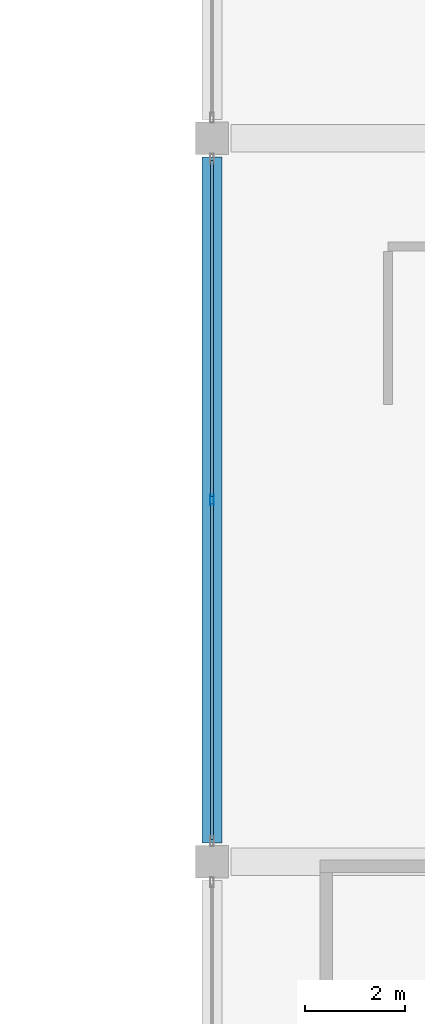
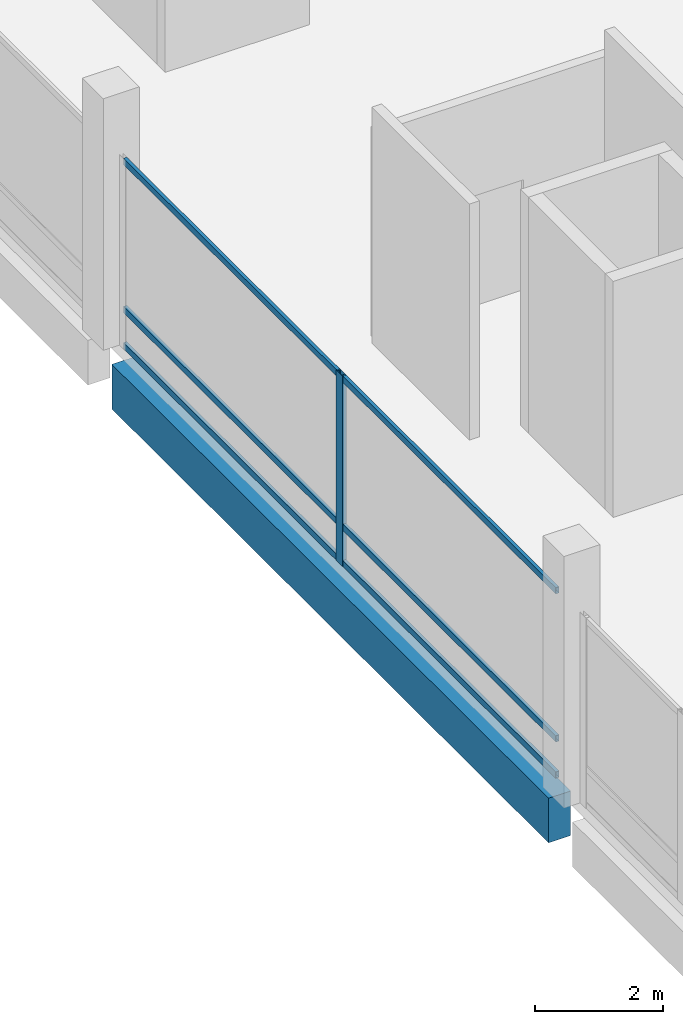
# One storey, part 92 of 220: 7 members, 1 beam, 1 element without a shape of its own.
"""IFC4 building model written with IfcOpenShell, lengths in metres."""

import ifcopenshell
import ifcopenshell.guid

model = None  # the IFC model being written
_history = None  # IfcOwnerHistory: only IFC2X3 demands one
_inside = {}  # id of a spatial element -> (the spatial element, [elements in it])
_under = {}  # id of a project, library or spatial element -> (it, [spatial elements below it])
_declared = {}  # id of a project -> (the project, [libraries it declares])
_typed = {}  # id of a type object -> (the type object, [elements of that type])
_made_of = {}  # id of a material, layer set ... -> (it, [elements and type objects made of it])


def new_model(schema):
    """Start an empty IFC model of exactly this schema.

    Asked for "IFC4X3", IfcOpenShell would pick the latest addendum, in which some entities
    have other attributes; the version numbers below select the first issue.
    IFC2X3 requires an IfcOwnerHistory on every rooted entity: one is made here for all.
    """
    global model, _history
    if schema == "IFC4X3":
        model = ifcopenshell.file(schema_version=(4, 3, 0, 0))
    else:
        model = ifcopenshell.file(schema=schema)
    _inside.clear()
    _under.clear()
    _declared.clear()
    _typed.clear()
    _made_of.clear()
    _history = None
    if model.schema == "IFC2X3":
        org = make("IfcOrganization", Name="unknown")
        user = make(
            "IfcPersonAndOrganization",
            ThePerson=make("IfcPerson", FamilyName="unknown"),
            TheOrganization=org,
        )
        app = make(
            "IfcApplication",
            ApplicationDeveloper=org,
            Version="unknown",
            ApplicationFullName="unknown",
            ApplicationIdentifier="unknown",
        )
        _history = make(
            "IfcOwnerHistory",
            OwningUser=user,
            OwningApplication=app,
            ChangeAction="ADDED",
            CreationDate=0,
        )
    return model


def make(cls, **values):
    """One entity of the class cls with the attributes given. An attribute that is None is left unset."""
    return model.create_entity(
        cls, **{name: value for name, value in values.items() if value is not None}
    )


def rooted(cls, **values):
    """An entity with a GlobalId (a new one), such as an element, a storey or a relation."""
    return make(cls, GlobalId=ifcopenshell.guid.new(), OwnerHistory=_history, **values)


def si_unit(unit_type, name, prefix=None):
    """IfcSIUnit, for example si_unit("LENGTHUNIT", "METRE", prefix="MILLI")."""
    return make("IfcSIUnit", UnitType=unit_type, Prefix=prefix, Name=name)


def assignment(units):
    """IfcUnitAssignment: the units of a project."""
    return None if units is None else make("IfcUnitAssignment", Units=units)


def point(xyz):
    """IfcCartesianPoint."""
    return None if xyz is None else make("IfcCartesianPoint", Coordinates=xyz)


def direction(xyz):
    """IfcDirection."""
    return None if xyz is None else make("IfcDirection", DirectionRatios=xyz)


def frame(location, z_axis=None, x_axis=None):
    """IfcAxis2Placement3D, a coordinate frame: its origin and axes. An axis left out is left unset."""
    return make(
        "IfcAxis2Placement3D",
        Location=point(location),
        Axis=direction(z_axis),
        RefDirection=direction(x_axis),
    )


def frame_2d(location, x_axis=None):
    """IfcAxis2Placement2D, a coordinate frame in the plane: its origin and x axis."""
    return make(
        "IfcAxis2Placement2D", Location=point(location), RefDirection=direction(x_axis)
    )


def origin():
    """The frame at (0, 0, 0) with its axes left unset."""
    return frame((0.0, 0.0, 0.0))


def origin_2d():
    """The frame at (0, 0) in the plane with its x axis left unset."""
    return frame_2d((0.0, 0.0))


def place(relative_to, where):
    """IfcLocalPlacement: puts the frame where relative to a parent placement (None: the world)."""
    return make(
        "IfcLocalPlacement", PlacementRelTo=relative_to, RelativePlacement=where
    )


def context(
    kind, dimensions, precision=None, world=None, true_north=None, identifier=None
):
    """IfcGeometricRepresentationContext, for example the 3D "Model" context."""
    return make(
        "IfcGeometricRepresentationContext",
        ContextIdentifier=identifier,
        ContextType=kind,
        CoordinateSpaceDimension=dimensions,
        Precision=precision,
        WorldCoordinateSystem=world,
        TrueNorth=true_north,
    )


def subcontext(parent, identifier, kind, view, scale=None):
    """IfcGeometricRepresentationSubContext, for example "Body" below "Model"."""
    return make(
        "IfcGeometricRepresentationSubContext",
        ContextIdentifier=identifier,
        ContextType=kind,
        ParentContext=parent,
        TargetScale=scale,
        TargetView=view,
    )


def project(units=None, contexts=None):
    """IfcProject with its units and contexts."""
    return rooted(
        "IfcProject",
        Name="project",
        RepresentationContexts=contexts,
        UnitsInContext=assignment(units),
    )


def spatial(cls, under=None, at=None, **own):
    """A site, building, storey or space (cls), placed at a placement, below another one or the project."""
    s = rooted(cls, ObjectPlacement=at, **own)
    if under is not None:
        _under.setdefault(under.id(), (under, []))[1].append(s)
    return s


def profile(cls, at=None, kind="AREA", **sizes):
    """A parametric profile (cls). Its sizes go by their IFC names, for example OverallWidth=200.0."""
    return make(cls, ProfileType=kind, Position=at, **sizes)


def rectangle(**sizes):
    """IfcRectangleProfileDef."""
    return profile("IfcRectangleProfileDef", **sizes)


def hollow_rectangle(**sizes):
    """IfcRectangleHollowProfileDef."""
    return profile("IfcRectangleHollowProfileDef", **sizes)


def extrude(swept, where, along, depth):
    """IfcExtrudedAreaSolid: the profile swept, set in the frame where, extruded along a direction by depth."""
    return make(
        "IfcExtrudedAreaSolid",
        SweptArea=swept,
        Position=where,
        ExtrudedDirection=direction(along),
        Depth=depth,
    )


def shape(context_of_items, identifier, shape_type, items):
    """IfcShapeRepresentation: the items that make up one representation, for example the "Body"."""
    return make(
        "IfcShapeRepresentation",
        ContextOfItems=context_of_items,
        RepresentationIdentifier=identifier,
        RepresentationType=shape_type,
        Items=items,
    )


def material(Name=None, Category=None):
    """IfcMaterial."""
    return make("IfcMaterial", Name=Name, Category=Category)


def material_profile(
    of_material, cross_section, Name=None, Category=None, Priority=None
):
    """IfcMaterialProfile: a cross section and its material."""
    return make(
        "IfcMaterialProfile",
        Name=Name,
        Material=of_material,
        Profile=cross_section,
        Priority=Priority,
        Category=Category,
    )


def profile_set(profiles, Name=None, composite=None):
    """IfcMaterialProfileSet."""
    return make(
        "IfcMaterialProfileSet",
        Name=Name,
        MaterialProfiles=profiles,
        CompositeProfile=composite,
    )


def made_of(thing, what):
    """Note that an element or type object is made of a material, layer set ...; save() writes the relation."""
    if what is not None:
        _made_of.setdefault(what.id(), (what, []))[1].append(thing)
    return thing


def type_object(cls, material=None, **own):
    """A type object (cls), such as IfcWallType, which elements share."""
    return made_of(rooted(cls, **own), material)


def element(
    cls,
    number,
    at=None,
    inside=None,
    cuts=None,
    type_object=None,
    material=None,
    context=None,
    identifier="Body",
    shape_type=None,
    held_by="IfcProductDefinitionShape",
    body=None,
    shapes=None,
    **own,
):
    """One element of the class cls, such as IfcWall. Its Tag is "e" and its number.

    at: its placement. inside: the storey or other place that contains it. cuts: it is an
    opening in that element (IfcRelVoidsElement). A single representation is given by context,
    identifier, shape_type and body (its items); several are given by shapes. held_by: the class
    of the entity that holds the representations. save() writes the other relations.
    """
    e = rooted(cls, Tag="e%d" % number, ObjectPlacement=at, **own)
    if body is not None:
        shapes = [shape(context, identifier, shape_type, body)]
    if shapes is not None:
        e.Representation = make(held_by, Representations=shapes)
    if inside is not None:
        _inside.setdefault(inside.id(), (inside, []))[1].append(e)
    if cuts is not None:
        rooted(
            "IfcRelVoidsElement", RelatingBuildingElement=cuts, RelatedOpeningElement=e
        )
    if type_object is not None:
        _typed.setdefault(type_object.id(), (type_object, []))[1].append(e)
    return made_of(e, material)


def aggregate(whole, parts):
    """IfcRelAggregates: a whole, such as a stair, and the parts it consists of."""
    return rooted("IfcRelAggregates", RelatingObject=whole, RelatedObjects=parts)


def save(model, path):
    """Write the relations noted so far, then the file.

    IfcRelAggregates (storeys below a building ...), IfcRelContainedInSpatialStructure (elements
    in a storey), IfcRelDefinesByType, IfcRelAssociatesMaterial and IfcRelDeclares: one each for
    every whole, place, type object, material and project.
    """
    for whole, parts in _under.values():
        aggregate(whole, parts)
    for where, things in _inside.values():
        rooted(
            "IfcRelContainedInSpatialStructure",
            RelatedElements=things,
            RelatingStructure=where,
        )
    for kind, things in _typed.values():
        rooted("IfcRelDefinesByType", RelatedObjects=things, RelatingType=kind)
    for what, things in _made_of.values():
        rooted("IfcRelAssociatesMaterial", RelatedObjects=things, RelatingMaterial=what)
    for by, libraries in _declared.values():
        rooted("IfcRelDeclares", RelatingContext=by, RelatedDefinitions=libraries)
    model.write(path)


model = new_model("IFC4")

# Units and contexts
model_context = context("Model", 3, precision=1e-05, world=origin(), true_north=direction((0.0, 1.0)))
body_context = subcontext(model_context, "Body", "Model", "MODEL_VIEW")
ifc_project = project(units=[si_unit("LENGTHUNIT", "METRE"), si_unit("AREAUNIT", "SQUARE_METRE"), si_unit("VOLUMEUNIT", "CUBIC_METRE"), si_unit("PLANEANGLEUNIT", "RADIAN"), si_unit("MASSUNIT", "GRAM", prefix="KILO")], contexts=[model_context])

# Site, building, storey
site_placement = place(None, origin())
site = spatial("IfcSite", under=ifc_project, at=site_placement, CompositionType="ELEMENT")
building_placement = place(site_placement, origin())
building = spatial("IfcBuilding", under=site, at=building_placement, Name="Cendralis Lancet Convention Centre", CompositionType="ELEMENT")
storey_placement = place(building_placement, frame((0.0, 0.0, 5.39990234375)))
storey = spatial("IfcBuildingStorey", under=building, at=storey_placement, Name="L01", CompositionType="ELEMENT", Elevation=5.39990234375)

# Curtain wall, members
ifc_material_1 = material(Name="Anodised bronze architectural aluminium", Category="aluminium")
curtain_wall_type = type_object("IfcCurtainWallType", Name="ARC-CW-PL01", PredefinedType="USERDEFINED", material=ifc_material_1)
curtain_wall_placement = place(storey_placement, origin())
curtain_wall = element("IfcCurtainWall", 1, at=curtain_wall_placement, inside=storey, type_object=curtain_wall_type, Name="L01 Curtain Wall CW-PL1 #117", ObjectType="CURTAIN WALL", PredefinedType="USERDEFINED")
ifc_material_profile_1 = material_profile(ifc_material_1, hollow_rectangle(XDim=0.070068359375, YDim=0.199951171875, WallThickness=0.0048828125, at=origin_2d()), Name="AL-MULL 70x200x5.0")
ifc_profile_set_1 = profile_set([ifc_material_profile_1], Name="Anodised bronze architectural aluminium")
member_type_1 = type_object("IfcMemberType", Name="ARC-CW-ML02", PredefinedType="MULLION", material=ifc_profile_set_1)
member_1_placement = place(storey_placement, frame((139.199951171875, 57.60009765625, 0.0), z_axis=(0.0, 0.0, 1.0), x_axis=(1.0, 0.0, 0.0)))
member_1 = element("IfcMember", 2, at=member_1_placement, type_object=member_type_1, Name="Mullion CW2-CW-PL1-L01-117-M1", PredefinedType="MULLION", context=body_context, shape_type="SweptSolid", body=[
    extrude(hollow_rectangle(XDim=0.070068359375, YDim=0.199951171875, WallThickness=0.0048828125, at=origin_2d()), origin(), (0.0, 0.0, 1.0), 3.635009765625),
])
ifc_material_profile_2 = material_profile(ifc_material_1, hollow_rectangle(XDim=0.06005859375, YDim=0.1201171875, WallThickness=0.00390625, at=origin_2d()), Name="AL-TRAN 60x120x4.0")
ifc_profile_set_2 = profile_set([ifc_material_profile_2], Name="Anodised bronze architectural aluminium")
member_type_2 = type_object("IfcMemberType", Name="ARC-CW-TR01", PredefinedType="USERDEFINED", material=ifc_profile_set_2)
member_2_placement = place(storey_placement, frame((139.199951171875, 50.844970703125, 0.06005859375), z_axis=(0.0, 1.0, 0.0), x_axis=(-1.0, 0.0, 0.0)))
member_2 = element("IfcMember", 3, at=member_2_placement, type_object=member_type_2, Name="Transom CW2-CW-PL1-L01-117-T0BOT", ObjectType="TRANSOM", PredefinedType="USERDEFINED", context=body_context, shape_type="SweptSolid", body=[
    extrude(hollow_rectangle(XDim=0.06005859375, YDim=0.1201171875, WallThickness=0.00390625, at=origin_2d()), origin(), (0.0, 0.0, 1.0), 6.68505859375),
])
member_3_placement = place(storey_placement, frame((139.199951171875, 50.844970703125, 0.75), z_axis=(0.0, 1.0, 0.0), x_axis=(-1.0, 0.0, 0.0)))
member_3 = element("IfcMember", 4, at=member_3_placement, type_object=member_type_2, Name="Transom CW2-CW-PL1-L01-117-T0MID", ObjectType="TRANSOM", PredefinedType="USERDEFINED", context=body_context, shape_type="SweptSolid", body=[
    extrude(hollow_rectangle(XDim=0.06005859375, YDim=0.1201171875, WallThickness=0.00390625, at=origin_2d()), origin(), (0.0, 0.0, 1.0), 6.68505859375),
])
member_4_placement = place(storey_placement, frame((139.199951171875, 50.844970703125, 3.5751953125), z_axis=(0.0, 1.0, 0.0), x_axis=(-1.0, 0.0, 0.0)))
member_4 = element("IfcMember", 5, at=member_4_placement, type_object=member_type_2, Name="Transom CW2-CW-PL1-L01-117-T0TOP", ObjectType="TRANSOM", PredefinedType="USERDEFINED", context=body_context, shape_type="SweptSolid", body=[
    extrude(hollow_rectangle(XDim=0.06005859375, YDim=0.1201171875, WallThickness=0.00390625, at=origin_2d()), origin(), (0.0, 0.0, 1.0), 6.68505859375),
])
member_5_placement = place(storey_placement, frame((139.199951171875, 57.669921875, 0.06005859375), z_axis=(0.0, 1.0, 0.0), x_axis=(-1.0, 0.0, 0.0)))
member_5 = element("IfcMember", 6, at=member_5_placement, type_object=member_type_2, Name="Transom CW2-CW-PL1-L01-117-T1BOT", ObjectType="TRANSOM", PredefinedType="USERDEFINED", context=body_context, shape_type="SweptSolid", body=[
    extrude(hollow_rectangle(XDim=0.06005859375, YDim=0.1201171875, WallThickness=0.00390625, at=origin_2d()), origin(), (0.0, 0.0, 1.0), 6.68505859375),
])
member_6_placement = place(storey_placement, frame((139.199951171875, 57.669921875, 0.75), z_axis=(0.0, 1.0, 0.0), x_axis=(-1.0, 0.0, 0.0)))
member_6 = element("IfcMember", 7, at=member_6_placement, type_object=member_type_2, Name="Transom CW2-CW-PL1-L01-117-T1MID", ObjectType="TRANSOM", PredefinedType="USERDEFINED", context=body_context, shape_type="SweptSolid", body=[
    extrude(hollow_rectangle(XDim=0.06005859375, YDim=0.1201171875, WallThickness=0.00390625, at=origin_2d()), origin(), (0.0, 0.0, 1.0), 6.68505859375),
])
member_7_placement = place(storey_placement, frame((139.199951171875, 57.669921875, 3.5751953125), z_axis=(0.0, 1.0, 0.0), x_axis=(-1.0, 0.0, 0.0)))
member_7 = element("IfcMember", 8, at=member_7_placement, type_object=member_type_2, Name="Transom CW2-CW-PL1-L01-117-T1TOP", ObjectType="TRANSOM", PredefinedType="USERDEFINED", context=body_context, shape_type="SweptSolid", body=[
    extrude(hollow_rectangle(XDim=0.06005859375, YDim=0.1201171875, WallThickness=0.00390625, at=origin_2d()), origin(), (0.0, 0.0, 1.0), 6.68505859375),
])
aggregate(curtain_wall, [member_1, member_2, member_3, member_4, member_5, member_6, member_7])

# Beam
ifc_material_2 = material(Name="Concrete G40 (C40/50)", Category="concrete")
ifc_material_profile_3 = material_profile(ifc_material_2, rectangle(XDim=0.39990234375, YDim=0.85009765625, at=origin_2d()), Name="RCB 400x850")
ifc_profile_set_3 = profile_set([ifc_material_profile_3], Name="Concrete G40 (C40/50)")
beam_type = type_object("IfcBeamType", Name="STR-SP-SP02", PredefinedType="SPANDREL", material=ifc_profile_set_3)
beam_placement = place(storey_placement, frame((139.199951171875, 50.77490234375, -0.704833984375), z_axis=(0.0, 1.0, 0.0), x_axis=(-1.0, 0.0, 0.0)))
element("IfcBeam", 9, at=beam_placement, inside=storey, type_object=beam_type, Name="L01 Beam SP02 #1423", PredefinedType="SPANDREL", context=body_context, shape_type="SweptSolid", body=[
    extrude(rectangle(XDim=0.39990234375, YDim=0.85009765625, at=origin_2d()), origin(), (0.0, 0.0, 1.0), 13.650146484375),
])

save(model, "model.ifc")
